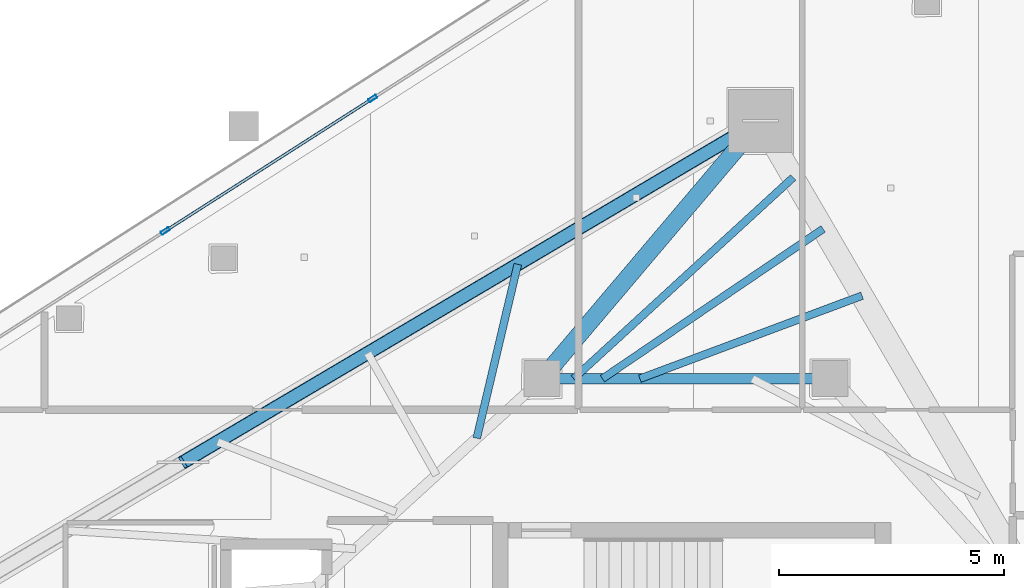
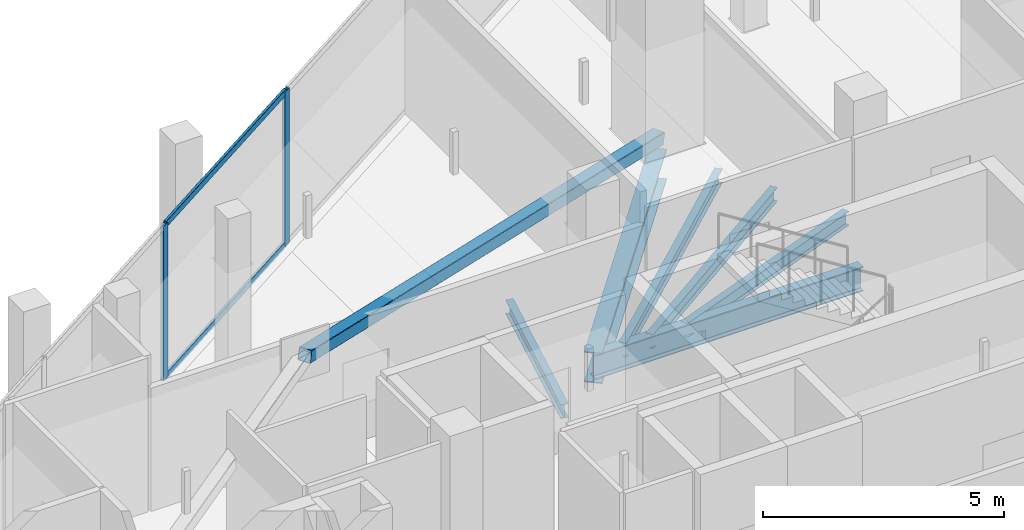
# One storey, part 15 of 30: 6 beams, 5 members, 1 element without a shape of its own.
"""IFC4 building model written with IfcOpenShell, lengths in metres."""

from ifc_helpers import new_model, si_unit, direction, frame, origin, origin_2d, place, context, subcontext, project, spatial, hollow_rectangle, i_section, extrude, material, layer, layer_set, material_profile, profile_set, type_object, element, aggregate, save


model = new_model("IFC4")

# Units and contexts
model_context = context("Model", 3, precision=1e-05, world=origin(), true_north=direction((0.0, 1.0)))
body_context = subcontext(model_context, "Body", "Model", "MODEL_VIEW")
ifc_project = project(units=[si_unit("LENGTHUNIT", "METRE"), si_unit("AREAUNIT", "SQUARE_METRE"), si_unit("VOLUMEUNIT", "CUBIC_METRE"), si_unit("PLANEANGLEUNIT", "RADIAN"), si_unit("MASSUNIT", "GRAM", prefix="KILO")], contexts=[model_context])

# Site, building, storey
site_placement = place(None, origin())
site = spatial("IfcSite", under=ifc_project, at=site_placement, CompositionType="ELEMENT")
building_placement = place(site_placement, origin())
building = spatial("IfcBuilding", under=site, at=building_placement, Name="Qorvath Tower", CompositionType="ELEMENT")
storey_placement = place(building_placement, frame((0.0, 0.0, 289.199951171875)))
storey = spatial("IfcBuildingStorey", under=building, at=storey_placement, Name="L67", CompositionType="ELEMENT", Elevation=289.199951171875)

# Beams
ifc_material_1 = material(Name="Steel ASTM A992 Grade 50", Category="steel")
ifc_material_profile_1 = material_profile(ifc_material_1, i_section(OverallWidth=0.381103515625, OverallDepth=0.77294921875, WebThickness=0.0166015625, FlangeThickness=0.027099609375, FilletRadius=0.01904296875, at=origin_2d()), Name="W30x173")
ifc_profile_set_1 = profile_set([ifc_material_profile_1], Name="Steel ASTM A992 Grade 50")
beam_type_1 = type_object("IfcBeamType", Name="BM-FG3", PredefinedType="BEAM", material=ifc_profile_set_1)
beam_1_placement = place(storey_placement, frame((-23.60009765625, 11.449951171875, -0.676513671875), z_axis=(0.646321389876, 0.763065305848, 0.0), x_axis=(-0.763065305848, 0.646321389876, 0.0)))
element("IfcBeam", 1, at=beam_1_placement, inside=storey, type_object=beam_type_1, Name="Radial Floor Girder CC1-MC6 L67", PredefinedType="BEAM", context=body_context, shape_type="SweptSolid", body=[
    extrude(i_section(OverallWidth=0.381103515625, OverallDepth=0.77294921875, WebThickness=0.0166015625, FlangeThickness=0.027099609375, FilletRadius=0.01904296875, at=origin_2d()), origin(), (0.0, 0.0, 1.0), 7.50341796875),
])
ifc_material_2 = material(Name="Steel ASTM A992 Grade 50", Category="steel")
ifc_material_profile_2 = material_profile(ifc_material_2, i_section(OverallWidth=0.22998046875, OverallDepth=0.616943359375, WebThickness=0.01318359375, FlangeThickness=0.022216796875, FilletRadius=0.014892578125, at=origin_2d()), Name="W24x94")
ifc_profile_set_2 = profile_set([ifc_material_profile_2], Name="Steel ASTM A992 Grade 50")
beam_type_2 = type_object("IfcBeamType", Name="BM-FG6", PredefinedType="BEAM", material=ifc_profile_set_2)
beam_2_placement = place(storey_placement, frame((-23.60009765625, 11.449951171875, -0.5986328125), z_axis=(1.0, 0.0, 0.0), x_axis=(0.0, 1.0, 0.0)))
element("IfcBeam", 2, at=beam_2_placement, inside=storey, type_object=beam_type_2, Name="Core Ring Girder CC1-CC2 L67", PredefinedType="BEAM", context=body_context, shape_type="SweptSolid", body=[
    extrude(i_section(OverallWidth=0.22998046875, OverallDepth=0.616943359375, WebThickness=0.01318359375, FlangeThickness=0.022216796875, FilletRadius=0.014892578125, at=origin_2d()), origin(), (0.0, 0.0, 1.0), 6.400146484375),
])
ifc_material_3 = material(Name="Steel ASTM A992 Grade 50", Category="steel")
ifc_material_profile_3 = material_profile(ifc_material_3, i_section(OverallWidth=0.1708984375, OverallDepth=0.35107421875, WebThickness=0.0068359375, FlangeThickness=0.009765625, FilletRadius=0.010009765625, at=origin_2d()), Name="W14x30")
ifc_profile_set_3 = profile_set([ifc_material_profile_3], Name="Steel ASTM A992 Grade 50")
beam_type_3 = type_object("IfcBeamType", Name="BM-FJ4", PredefinedType="JOIST", material=ifc_profile_set_3)
beam_3_placement = place(storey_placement, frame((-21.424072265625, 11.449951171875, -0.465576171875), z_axis=(0.936775909139, 0.349929844478, 0.0), x_axis=(-0.349929844478, 0.936775909139, 0.0)))
element("IfcBeam", 3, at=beam_3_placement, inside=storey, type_object=beam_type_3, Name="Composite Floor Joist NE5 L67", PredefinedType="JOIST", context=body_context, shape_type="SweptSolid", body=[
    extrude(i_section(OverallWidth=0.1708984375, OverallDepth=0.35107421875, WebThickness=0.0068359375, FlangeThickness=0.009765625, FilletRadius=0.010009765625, at=origin_2d()), origin(), (0.0, 0.0, 1.0), 5.268798828125),
])
beam_4_placement = place(storey_placement, frame((-22.256103515625, 11.449951171875, -0.465576171875), z_axis=(0.827400561462, 0.56161224247, 0.0), x_axis=(-0.56161224247, 0.827400561462, 0.0)))
element("IfcBeam", 4, at=beam_4_placement, inside=storey, type_object=beam_type_3, Name="Composite Floor Joist NE6 L67", PredefinedType="JOIST", context=body_context, shape_type="SweptSolid", body=[
    extrude(i_section(OverallWidth=0.1708984375, OverallDepth=0.35107421875, WebThickness=0.0068359375, FlangeThickness=0.009765625, FilletRadius=0.010009765625, at=origin_2d()), origin(), (0.0, 0.0, 1.0), 5.925537109375),
])
beam_5_placement = place(storey_placement, frame((-22.89599609375, 11.449951171875, -0.465576171875), z_axis=(0.737232260457, 0.675639396528, 0.0), x_axis=(-0.675639396528, 0.737232260457, 0.0)))
element("IfcBeam", 5, at=beam_5_placement, inside=storey, type_object=beam_type_3, Name="Composite Floor Joist NE7 L67", PredefinedType="JOIST", context=body_context, shape_type="SweptSolid", body=[
    extrude(i_section(OverallWidth=0.1708984375, OverallDepth=0.35107421875, WebThickness=0.0068359375, FlangeThickness=0.009765625, FilletRadius=0.010009765625, at=origin_2d()), origin(), (0.0, 0.0, 1.0), 6.615478515625),
])
beam_6_placement = place(storey_placement, frame((-25.049072265625, 10.126953125, -0.465576171875), z_axis=(0.22966321917, 0.973270160726, 0.0), x_axis=(-0.973270160726, 0.22966321917, 0.0)))
element("IfcBeam", 6, at=beam_6_placement, inside=storey, type_object=beam_type_3, Name="Composite Floor Joist NW6 L67", PredefinedType="JOIST", context=body_context, shape_type="SweptSolid", body=[
    extrude(i_section(OverallWidth=0.1708984375, OverallDepth=0.35107421875, WebThickness=0.0068359375, FlangeThickness=0.009765625, FilletRadius=0.010009765625, at=origin_2d()), origin(), (0.0, 0.0, 1.0), 3.969482421875),
])

# Curtain wall, members
ifc_material_4 = material(Name="Anodised aluminium and triple low-E glass", Category="aluminium")
ifc_layer = layer(ifc_material_4, 0.179931640625)
ifc_layer_set = layer_set([ifc_layer], Name="CW-SYS-5")
curtain_wall_type = type_object("IfcCurtainWallType", Name="CW-SYS-5", PredefinedType="NOTDEFINED", material=ifc_layer_set)
curtain_wall_placement = place(storey_placement, origin())
curtain_wall = element("IfcCurtainWall", 7, at=curtain_wall_placement, inside=storey, type_object=curtain_wall_type, Name="Curtain Wall CW-5 CW-T-L67-16.1", PredefinedType="NOTDEFINED")
ifc_material_5 = material(Name="Anodised aluminium 6063-T6", Category="aluminium")
ifc_material_profile_4 = material_profile(ifc_material_5, hollow_rectangle(XDim=0.074951171875, YDim=0.199951171875, WallThickness=0.00390625, InnerFilletRadius=0.00390625, OuterFilletRadius=0.008056640625, at=origin_2d()), Name="CWM 200x75")
ifc_profile_set_4 = profile_set([ifc_material_profile_4], Name="Anodised aluminium 6063-T6")
member_type_1 = type_object("IfcMemberType", Name="CWM-200", PredefinedType="MULLION", material=ifc_profile_set_4)
member_1_placement = place(storey_placement, frame((-27.362548828125, 17.673828125, 0.0), z_axis=(0.0, 0.0, 1.0), x_axis=(0.538536873294, -0.842601944042, 0.0)))
member_1 = element("IfcMember", 8, at=member_1_placement, type_object=member_type_1, Name="CW-5 mullion 3", PredefinedType="MULLION", context=body_context, shape_type="SweptSolid", body=[
    extrude(hollow_rectangle(XDim=0.074951171875, YDim=0.199951171875, WallThickness=0.00390625, InnerFilletRadius=0.00390625, OuterFilletRadius=0.008056640625, at=origin_2d()), origin(), (0.0, 0.0, 1.0), 3.91015625),
])
member_2_placement = place(storey_placement, frame((-31.971435546875, 14.728271484375, 0.0), z_axis=(0.0, 0.0, 1.0), x_axis=(0.538536873294, -0.842601944042, 0.0)))
member_2 = element("IfcMember", 9, at=member_2_placement, type_object=member_type_1, Name="CW-5 mullion 4", PredefinedType="MULLION", context=body_context, shape_type="SweptSolid", body=[
    extrude(hollow_rectangle(XDim=0.074951171875, YDim=0.199951171875, WallThickness=0.00390625, InnerFilletRadius=0.00390625, OuterFilletRadius=0.008056640625, at=origin_2d()), origin(), (0.0, 0.0, 1.0), 3.91015625),
])
ifc_material_6 = material(Name="Anodised aluminium 6063-T6", Category="aluminium")
ifc_material_profile_5 = material_profile(ifc_material_6, hollow_rectangle(XDim=0.06494140625, YDim=0.159912109375, WallThickness=0.00341796875, InnerFilletRadius=0.00341796875, OuterFilletRadius=0.007080078125, at=origin_2d()), Name="CWT 160x65")
ifc_profile_set_5 = profile_set([ifc_material_profile_5], Name="Anodised aluminium 6063-T6")
member_type_2 = type_object("IfcMemberType", Name="CWT-160", PredefinedType="USERDEFINED", material=ifc_profile_set_5)
member_3_placement = place(storey_placement, frame((-27.394287109375, 17.65380859375, 0.032470703125), z_axis=(-0.842603282272, -0.538534779475, 0.0), x_axis=(0.538534779475, -0.842603282272, 0.0)))
member_3 = element("IfcMember", 10, at=member_3_placement, type_object=member_type_2, Name="CW-5 transom 3.1", ObjectType="TRANSOM", PredefinedType="USERDEFINED", context=body_context, shape_type="SweptSolid", body=[
    extrude(hollow_rectangle(XDim=0.06494140625, YDim=0.159912109375, WallThickness=0.00341796875, InnerFilletRadius=0.00341796875, OuterFilletRadius=0.007080078125, at=origin_2d()), origin(), (0.0, 0.0, 1.0), 5.394775390625),
])
member_4_placement = place(storey_placement, frame((-27.394287109375, 17.65380859375, 3.877685546875), z_axis=(-0.842603282272, -0.538534779475, 0.0), x_axis=(0.538534779475, -0.842603282272, 0.0)))
member_4 = element("IfcMember", 11, at=member_4_placement, type_object=member_type_2, Name="CW-5 transom 3.2", ObjectType="TRANSOM", PredefinedType="USERDEFINED", context=body_context, shape_type="SweptSolid", body=[
    extrude(hollow_rectangle(XDim=0.06494140625, YDim=0.159912109375, WallThickness=0.00341796875, InnerFilletRadius=0.00341796875, OuterFilletRadius=0.007080078125, at=origin_2d()), origin(), (0.0, 0.0, 1.0), 5.394775390625),
])
aggregate(curtain_wall, [member_1, member_2, member_3, member_4])

# Member
ifc_material_7 = material(Name="Steel ASTM A500 Grade C", Category="steel")
ifc_material_profile_6 = material_profile(ifc_material_7, hollow_rectangle(XDim=0.3046875, YDim=0.3046875, WallThickness=0.0126953125, InnerFilletRadius=0.0126953125, OuterFilletRadius=0.025390625, at=origin_2d()), Name="HSS 305x305x12.7")
ifc_profile_set_6 = profile_set([ifc_material_profile_6], Name="Steel ASTM A500 Grade C")
member_type_3 = type_object("IfcMemberType", Name="MEM-MB3", PredefinedType="BRACE", material=ifc_profile_set_6)
member_5_placement = place(storey_placement, frame((-18.75048828125, 17.175537109375, 0.0), z_axis=(-0.837219052796, -0.495039071419, 0.232380238843), x_axis=(0.508972175844, -0.860782971612, 0.0)))
element("IfcMember", 12, at=member_5_placement, inside=storey, type_object=member_type_3, Name="Perimeter Chevron Brace L67-1A", PredefinedType="BRACE", context=body_context, shape_type="SweptSolid", body=[
    extrude(hollow_rectangle(XDim=0.3046875, YDim=0.3046875, WallThickness=0.0126953125, InnerFilletRadius=0.0126953125, OuterFilletRadius=0.025390625, at=origin_2d()), origin(), (0.0, 0.0, 1.0), 15.320068359375),
])

save(model, "model.ifc")
